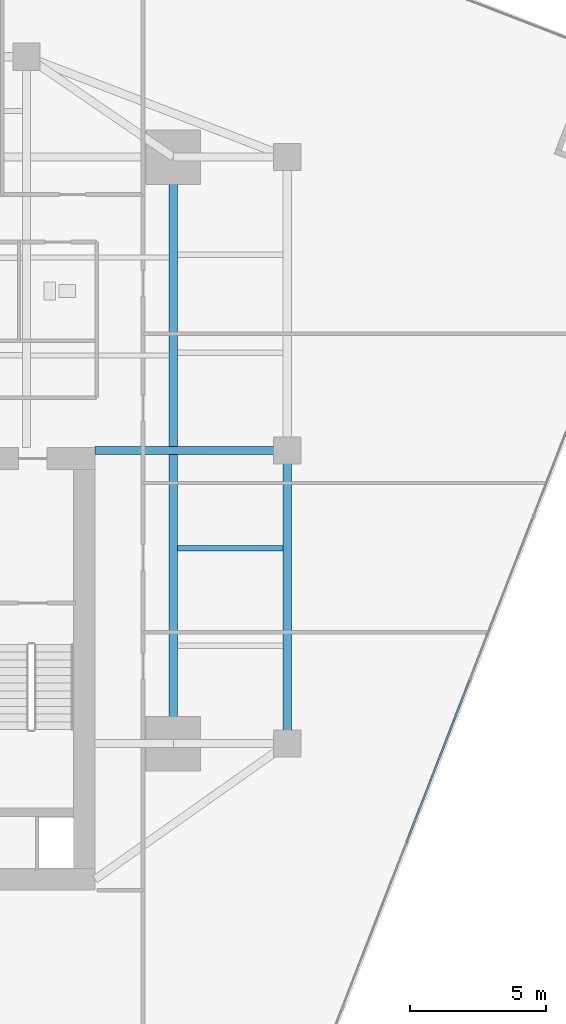
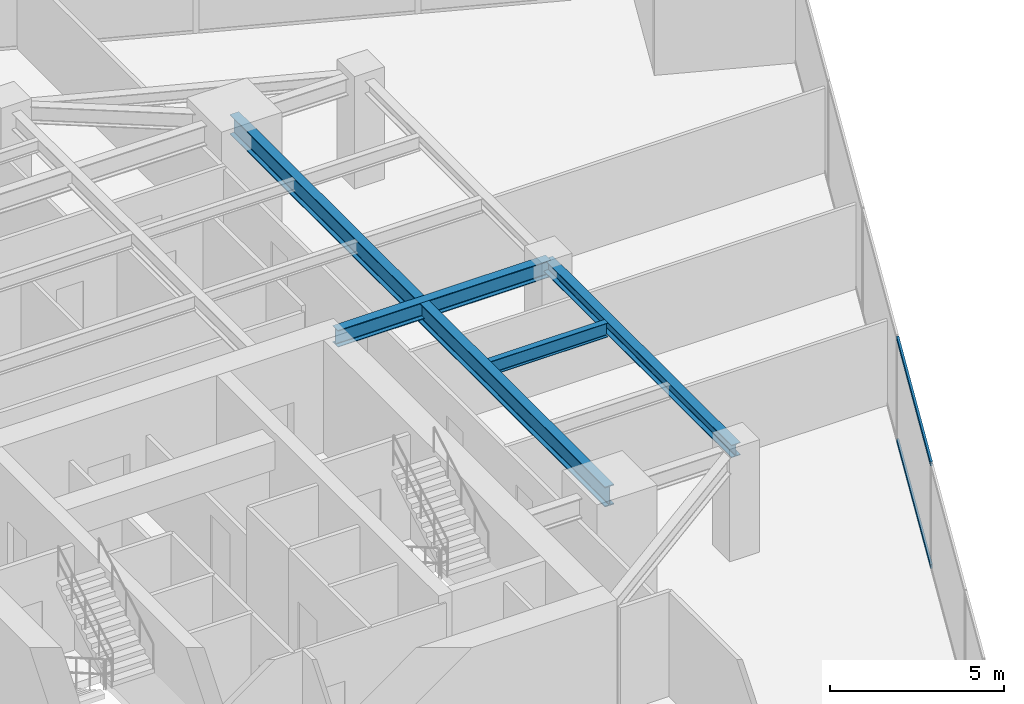
# One storey, part 11 of 26: 4 beams, 2 members, 1 element without a shape of its own.
"""IFC4 building model written with IfcOpenShell, lengths in metres."""

from ifc_helpers import new_model, si_unit, direction, frame, origin, origin_2d, place, context, subcontext, project, spatial, hollow_rectangle, i_section, extrude, source, transform, mapped, material, material_profile, profile_set, type_object, type_shapes, element, aggregate, save


model = new_model("IFC4")

# Units and contexts
model_context = context("Model", 3, precision=1e-05, world=origin(), true_north=direction((0.0, 1.0)))
body_context = subcontext(model_context, "Body", "Model", "MODEL_VIEW")
ifc_project = project(units=[si_unit("LENGTHUNIT", "METRE"), si_unit("AREAUNIT", "SQUARE_METRE"), si_unit("VOLUMEUNIT", "CUBIC_METRE"), si_unit("PLANEANGLEUNIT", "RADIAN"), si_unit("MASSUNIT", "GRAM", prefix="KILO")], contexts=[model_context])

# Site, building, storey
site_placement = place(None, origin())
site = spatial("IfcSite", under=ifc_project, at=site_placement, CompositionType="ELEMENT")
building_placement = place(site_placement, origin())
building = spatial("IfcBuilding", under=site, at=building_placement, Name="Krantzveldt Concourse Tower", CompositionType="ELEMENT")
storey_placement = place(building_placement, frame((0.0, 0.0, 129.550048828125)))
storey = spatial("IfcBuildingStorey", under=building, at=storey_placement, Name="L31", CompositionType="ELEMENT", Elevation=129.550048828125)

# Beams
ifc_material_1 = material(Name="Steel S355J2", Category="steel")
ifc_material_profile_1 = material_profile(ifc_material_1, i_section(OverallWidth=0.300048828125, OverallDepth=0.699951171875, WebThickness=0.01708984375, FlangeThickness=0.031982421875, FilletRadius=0.027099609375, at=origin_2d()), Name="Steel S355J2", Category="steel")
ifc_profile_set_1 = profile_set([ifc_material_profile_1], Name="Steel S355J2 - HEB 700")
beam_type_1 = type_object("IfcBeamType", Name="BM-B-HEB700", PredefinedType="BEAM", material=ifc_profile_set_1)
shared_shape_1 = source(origin(), body_context, "Body", "SweptSolid", [
    extrude(i_section(OverallWidth=0.300048828125, OverallDepth=0.699951171875, WebThickness=0.01708984375, FlangeThickness=0.031982421875, FilletRadius=0.027099609375, at=origin_2d()), origin(), (0.0, 0.0, 1.0), 21.60009765625),
])
type_shapes(beam_type_1, [shared_shape_1])
beam_1_placement = place(storey_placement, frame((46.800048828125, 15.89990234375, 3.320068359375), z_axis=(0.0, 1.0, 0.0), x_axis=(-1.0, 0.0, 0.0)))
element("IfcBeam", 1, at=beam_1_placement, inside=storey, type_object=beam_type_1, Name="L31 Tower Girder BG-ME", PredefinedType="BEAM", context=body_context, shape_type="MappedRepresentation", body=[
    mapped(shared_shape_1, transform((0.0, 0.0, 0.0), x_axis=(1.0, 0.0, 0.0), y_axis=(0.0, 1.0, 0.0), z_axis=(0.0, 0.0, 1.0), scale=1.0)),
])
ifc_material_2 = material(Name="Steel S355JR", Category="steel")
ifc_material_profile_2 = material_profile(ifc_material_2, i_section(OverallWidth=0.300048828125, OverallDepth=0.590087890625, WebThickness=0.012939453125, FlangeThickness=0.02490234375, FilletRadius=0.027099609375, at=origin_2d()), Name="Steel S355JR", Category="steel")
ifc_profile_set_2 = profile_set([ifc_material_profile_2], Name="Steel S355JR - HEA 600")
beam_type_2 = type_object("IfcBeamType", Name="BM-B-HEA600", PredefinedType="BEAM", material=ifc_profile_set_2)
shared_shape_2 = source(origin(), body_context, "Body", "SweptSolid", [
    extrude(i_section(OverallWidth=0.300048828125, OverallDepth=0.590087890625, WebThickness=0.012939453125, FlangeThickness=0.02490234375, FilletRadius=0.027099609375, at=origin_2d()), origin(), (0.0, 0.0, 1.0), 7.080078125),
])
type_shapes(beam_type_2, [shared_shape_2])
beam_2_placement = place(storey_placement, frame((43.919921875, 26.699951171875, 3.375), z_axis=(1.0, 0.0, 0.0), x_axis=(0.0, 1.0, 0.0)))
element("IfcBeam", 2, at=beam_2_placement, inside=storey, type_object=beam_type_2, Name="L31 Tower Girder BG-CE2", PredefinedType="BEAM", context=body_context, shape_type="MappedRepresentation", body=[
    mapped(shared_shape_2, transform((0.0, 0.0, 0.0), x_axis=(1.0, 0.0, 0.0), y_axis=(0.0, 1.0, 0.0), z_axis=(0.0, 0.0, 1.0), scale=1.0)),
])
ifc_material_profile_3 = material_profile(ifc_material_2, i_section(OverallWidth=0.300048828125, OverallDepth=0.43994140625, WebThickness=0.011474609375, FlangeThickness=0.02099609375, FilletRadius=0.027099609375, at=origin_2d()), Name="Steel S355JR", Category="steel")
ifc_profile_set_3 = profile_set([ifc_material_profile_3], Name="Steel S355JR - HEA 450")
beam_type_3 = type_object("IfcBeamType", Name="BM-SP-HEA450", PredefinedType="SPANDREL", material=ifc_profile_set_3)
shared_shape_3 = source(origin(), body_context, "Body", "SweptSolid", [
    extrude(i_section(OverallWidth=0.300048828125, OverallDepth=0.43994140625, WebThickness=0.011474609375, FlangeThickness=0.02099609375, FilletRadius=0.027099609375, at=origin_2d()), origin(), (0.0, 0.0, 1.0), 10.800048828125),
])
type_shapes(beam_type_3, [shared_shape_3])
beam_3_placement = place(storey_placement, frame((51.0, 26.699951171875, 3.449951171875), z_axis=(0.0, -1.0, 0.0), x_axis=(1.0, 0.0, 0.0)))
element("IfcBeam", 3, at=beam_3_placement, inside=storey, type_object=beam_type_3, Name="L31 Tower Girder SP-R07", PredefinedType="SPANDREL", context=body_context, shape_type="MappedRepresentation", body=[
    mapped(shared_shape_3, transform((0.0, 0.0, 0.0), x_axis=(1.0, 0.0, 0.0), y_axis=(0.0, 1.0, 0.0), z_axis=(0.0, 0.0, 1.0), scale=1.0)),
])
ifc_material_profile_4 = material_profile(ifc_material_2, i_section(OverallWidth=0.199951171875, OverallDepth=0.5, WebThickness=0.01025390625, FlangeThickness=0.01611328125, FilletRadius=0.02099609375, at=origin_2d()), Name="Steel S355JR", Category="steel")
ifc_profile_set_4 = profile_set([ifc_material_profile_4], Name="Steel S355JR - IPE 500")
beam_type_4 = type_object("IfcBeamType", Name="BM-J-IPE500", PredefinedType="JOIST", material=ifc_profile_set_4)
shared_shape_4 = source(origin(), body_context, "Body", "SweptSolid", [
    extrude(i_section(OverallWidth=0.199951171875, OverallDepth=0.5, WebThickness=0.01025390625, FlangeThickness=0.01611328125, FilletRadius=0.02099609375, at=origin_2d()), origin(), (0.0, 0.0, 1.0), 3.900146484375),
])
type_shapes(beam_type_4, [shared_shape_4])
beam_4_placement = place(storey_placement, frame((46.949951171875, 23.10009765625, 3.419921875), z_axis=(1.0, 0.0, 0.0), x_axis=(0.0, 1.0, 0.0)))
element("IfcBeam", 4, at=beam_4_placement, inside=storey, type_object=beam_type_4, Name="L31 Secondary Floor Joist JE-2", PredefinedType="JOIST", context=body_context, shape_type="MappedRepresentation", body=[
    mapped(shared_shape_4, transform((0.0, 0.0, 0.0), x_axis=(1.0, 0.0, 0.0), y_axis=(0.0, 1.0, 0.0), z_axis=(0.0, 0.0, 1.0), scale=1.0)),
])

# Curtain wall, members
ifc_material_3 = material(Name="Anodised aluminium 6063-T6", Category="aluminium")
curtain_wall_type = type_object("IfcCurtainWallType", Name="CW2", PredefinedType="USERDEFINED", material=ifc_material_3)
curtain_wall_placement = place(storey_placement, origin())
curtain_wall = element("IfcCurtainWall", 5, at=curtain_wall_placement, inside=storey, type_object=curtain_wall_type, Name="CW-L31-F11", ObjectType="UNITISED CURTAIN WALL", PredefinedType="USERDEFINED")
ifc_material_profile_5 = material_profile(ifc_material_3, hollow_rectangle(XDim=0.070068359375, YDim=0.139892578125, WallThickness=0.0048828125, at=origin_2d()), Name="Anodised aluminium 6063-T6", Category="aluminium")
ifc_profile_set_5 = profile_set([ifc_material_profile_5], Name="Anodised aluminium 6063-T6 - ALU-TRAN 140x70x5")
member_type = type_object("IfcMemberType", Name="CW-TRN-150", PredefinedType="USERDEFINED", material=ifc_profile_set_5)
shared_shape_5 = source(origin(), body_context, "Body", "SweptSolid", [
    extrude(hollow_rectangle(XDim=0.070068359375, YDim=0.139892578125, WallThickness=0.0048828125, at=origin_2d()), origin(), (0.0, 0.0, 1.0), 6.396484375),
])
type_shapes(member_type, [shared_shape_5])
member_1_placement = place(storey_placement, frame((55.39404296875, 12.25732421875, 0.034912109375), z_axis=(0.36243705186, 0.932008252882, 0.0), x_axis=(-0.932008252882, 0.36243705186, 0.0)))
member_1 = element("IfcMember", 6, at=member_1_placement, type_object=member_type, Name="CW-Z12 transom 3.1", ObjectType="TRANSOM", PredefinedType="USERDEFINED", context=body_context, shape_type="MappedRepresentation", body=[
    mapped(shared_shape_5, transform((0.0, 0.0, 0.0), x_axis=(1.0, 0.0, 0.0), y_axis=(0.0, 1.0, 0.0), z_axis=(0.0, 0.0, 1.0), scale=1.0)),
])
member_2_placement = place(storey_placement, frame((55.39404296875, 12.25732421875, 3.635009765625), z_axis=(0.36243705186, 0.932008252882, 0.0), x_axis=(-0.932008252882, 0.36243705186, 0.0)))
member_2 = element("IfcMember", 7, at=member_2_placement, type_object=member_type, Name="CW-Z12 transom 3.2", ObjectType="TRANSOM", PredefinedType="USERDEFINED", context=body_context, shape_type="MappedRepresentation", body=[
    mapped(shared_shape_5, transform((0.0, 0.0, 0.0), x_axis=(1.0, 0.0, 0.0), y_axis=(0.0, 1.0, 0.0), z_axis=(0.0, 0.0, 1.0), scale=1.0)),
])
aggregate(curtain_wall, [member_1, member_2])

save(model, "model.ifc")
